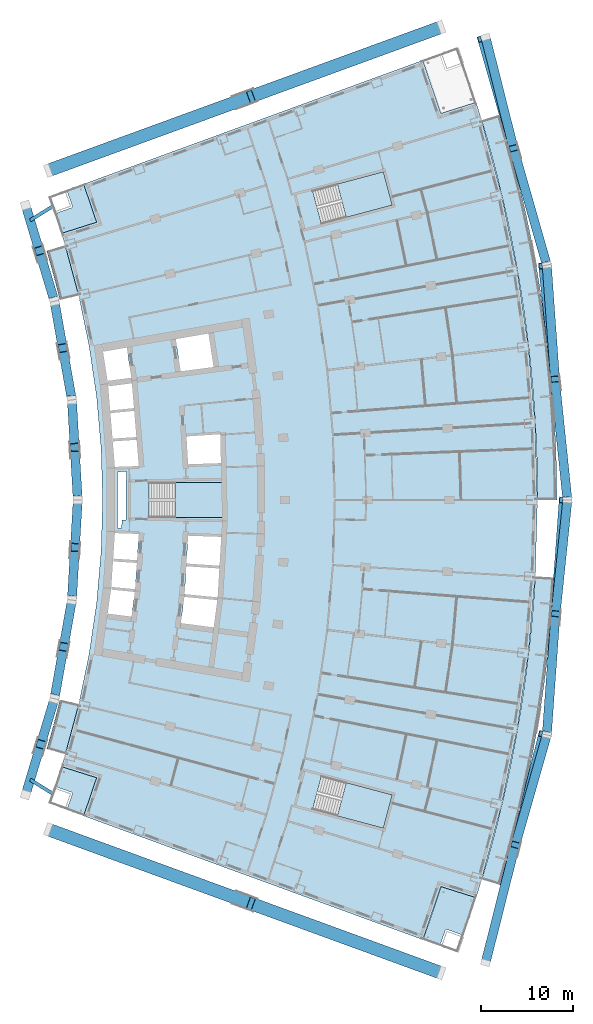
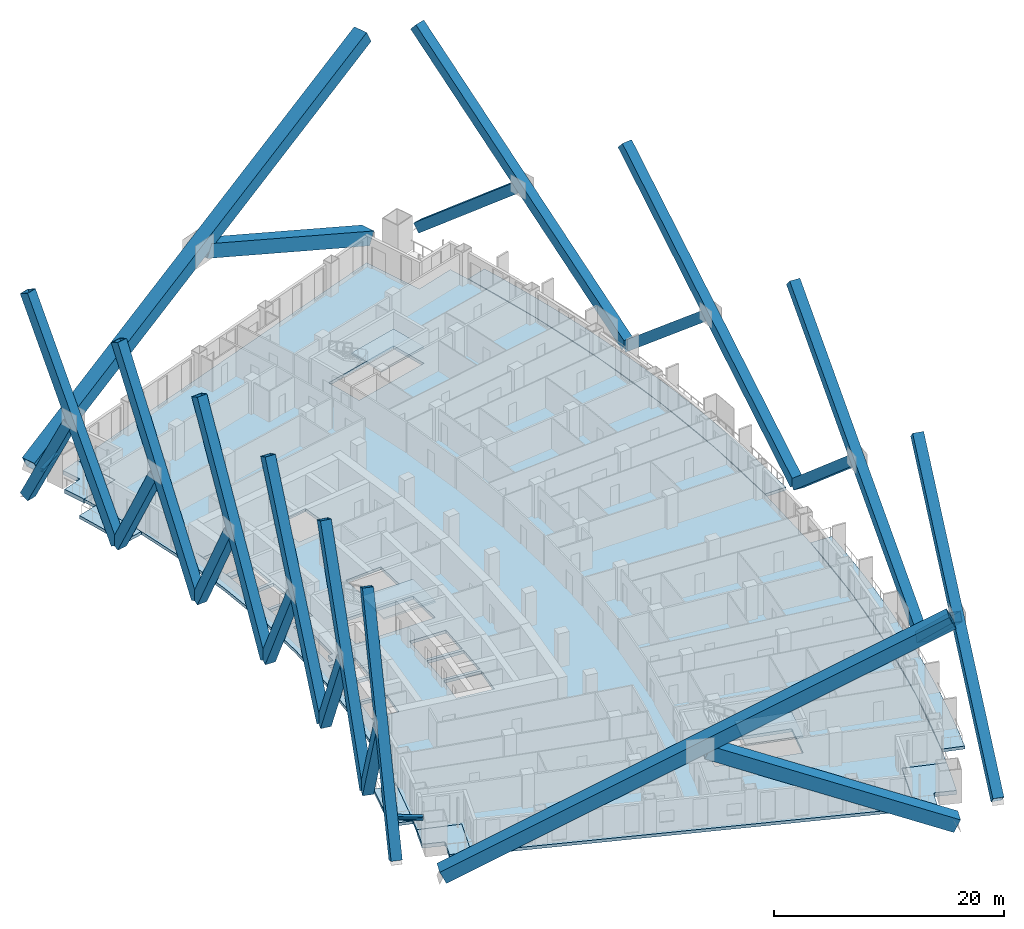
# One storey, part 9 of 23: 26 members, 11 slabs, 3 elements without a shape of their own.
"""IFC4 building model written with IfcOpenShell, lengths in metres."""

from ifc_helpers import new_model, si_unit, direction, frame, origin, origin_2d, place, context, subcontext, project, spatial, polyline, hollow_rectangle, i_section, outline, extrude, material, layer, layer_set, material_profile, profile_set, type_object, element, aggregate, save


model = new_model("IFC4")

# Units and contexts
model_context = context("Model", 3, precision=1e-05, world=origin(), true_north=direction((0.0, 1.0)))
body_context = subcontext(model_context, "Body", "Model", "MODEL_VIEW")
ifc_project = project(units=[si_unit("LENGTHUNIT", "METRE"), si_unit("AREAUNIT", "SQUARE_METRE"), si_unit("VOLUMEUNIT", "CUBIC_METRE"), si_unit("PLANEANGLEUNIT", "RADIAN"), si_unit("MASSUNIT", "GRAM", prefix="KILO")], contexts=[model_context])

# Site, building, storey
site_placement = place(None, origin())
site = spatial("IfcSite", under=ifc_project, at=site_placement, CompositionType="ELEMENT")
building_placement = place(site_placement, origin())
building = spatial("IfcBuilding", under=site, at=building_placement, Name="Alderwake Tower", CompositionType="ELEMENT")
storey_placement = place(building_placement, frame((0.0, 0.0, 53.60009765625)))
storey = spatial("IfcBuildingStorey", under=building, at=storey_placement, Name="L12", CompositionType="ELEMENT", Elevation=53.60009765625)

# Members
ifc_material_1 = material(Name="Steel ASTM A992 Grade 50", Category="steel")
ifc_material_profile_1 = material_profile(ifc_material_1, i_section(OverallWidth=0.3740234375, OverallDepth=0.372314453125, WebThickness=0.016357421875, FlangeThickness=0.026123046875, at=origin_2d()), Name="W14X132")
ifc_profile_set_1 = profile_set([ifc_material_profile_1], Name="Steel ASTM A992 Grade 50")
member_type_1 = type_object("IfcMemberType", Name="Brace node stub W14X132", PredefinedType="MEMBER", material=ifc_profile_set_1)
for number, where, z_axis, x_axis, name in (
    (1, (10.514892578125, 29.16943359375, 3.393798828125), (-0.849932366855, 0.526891802719, 0.0), (-0.526891802719, -0.849932366855, 0.0), "Brace node stub BS.RR01-C0.572"),
    (2, (10.514892578125, 92.83056640625, 3.393798828125), (-0.849932366855, -0.526891802719, 0.0), (0.526891802719, -0.849932366855, 0.0), "Brace node stub BS.RR13-C0.572"),
):
    element("IfcMember", number, at=place(storey_placement, frame(where, z_axis=z_axis, x_axis=x_axis)), inside=storey, type_object=member_type_1, Name=name, PredefinedType="MEMBER", context=body_context, shape_type="SweptSolid", body=[
        extrude(i_section(OverallWidth=0.3740234375, OverallDepth=0.372314453125, WebThickness=0.016357421875, FlangeThickness=0.026123046875, at=origin_2d()), origin(), (0.0, 0.0, 1.0), 2.800048828125),
    ])
ifc_material_2 = material(Name="Steel ASTM A572 Grade 50", Category="steel")
ifc_material_profile_2 = material_profile(ifc_material_2, hollow_rectangle(XDim=1.39990234375, YDim=1.39990234375, WallThickness=0.080078125, at=origin_2d()), Name="BOX 1400X1400X80")
ifc_profile_set_2 = profile_set([ifc_material_profile_2], Name="Steel ASTM A572 Grade 50")
member_type_2 = type_object("IfcMemberType", Name="Mega brace end Z1", PredefinedType="BRACE", material=ifc_profile_set_2)
member_1_placement = place(storey_placement, frame((10.099365234375, 25.23681640625, 0.0), z_axis=(0.846866891331, -0.309131237592, 0.432728952478), x_axis=(0.342898483742, 0.939372465983, 0.0)))
element("IfcMember", 3, at=member_1_placement, inside=storey, type_object=member_type_2, Name="Brace BRS1.2.0A", PredefinedType="BRACE", context=body_context, shape_type="SweptSolid", body=[
    extrude(hollow_rectangle(XDim=1.39990234375, YDim=1.39990234375, WallThickness=0.080078125, at=origin_2d()), origin(), (0.0, 0.0, 1.0), 49.91552734375),
])
member_2_placement = place(storey_placement, frame((52.746826171875, 9.669189453125, 0.0), z_axis=(-0.848260499572, 0.309646116142, 0.42962007358), x_axis=(-0.342904513735, -0.939370264837, 0.0)))
element("IfcMember", 4, at=member_2_placement, inside=storey, type_object=member_type_2, Name="Brace BRS1.2.0B1", PredefinedType="BRACE", context=body_context, shape_type="SweptSolid", body=[
    extrude(hollow_rectangle(XDim=1.39990234375, YDim=1.39990234375, WallThickness=0.080078125, at=origin_2d()), origin(), (0.0, 0.0, 1.0), 24.34814453125),
])
member_3_placement = place(storey_placement, frame((10.099365234375, 96.76318359375, 0.0), z_axis=(0.846866891331, 0.309131237592, 0.432728952478), x_axis=(-0.342898483742, 0.939372465983, 0.0)))
element("IfcMember", 5, at=member_3_placement, inside=storey, type_object=member_type_2, Name="Brace BRN1.2.0A", PredefinedType="BRACE", context=body_context, shape_type="SweptSolid", body=[
    extrude(hollow_rectangle(XDim=1.39990234375, YDim=1.39990234375, WallThickness=0.080078125, at=origin_2d()), origin(), (0.0, 0.0, 1.0), 49.91552734375),
])
member_4_placement = place(storey_placement, frame((52.746826171875, 112.330810546875, 0.0), z_axis=(-0.848260499572, -0.309646116142, 0.42962007358), x_axis=(0.342904513735, -0.939370264837, 0.0)))
element("IfcMember", 6, at=member_4_placement, inside=storey, type_object=member_type_2, Name="Brace BRN1.2.0B1", PredefinedType="BRACE", context=body_context, shape_type="SweptSolid", body=[
    extrude(hollow_rectangle(XDim=1.39990234375, YDim=1.39990234375, WallThickness=0.080078125, at=origin_2d()), origin(), (0.0, 0.0, 1.0), 24.34814453125),
])
ifc_material_3 = material(Name="Steel ASTM A572 Grade 50", Category="steel")
ifc_material_profile_3 = material_profile(ifc_material_3, hollow_rectangle(XDim=1.0, YDim=1.0, WallThickness=0.06005859375, at=origin_2d()), Name="BOX 1000X1000X60")
ifc_profile_set_3 = profile_set([ifc_material_profile_3], Name="Steel ASTM A572 Grade 50")
member_type_3 = type_object("IfcMemberType", Name="Mega brace face Z1", PredefinedType="BRACE", material=ifc_profile_set_3)
member_5_placement = place(storey_placement, frame((57.5693359375, 10.783203125, 0.0), z_axis=(0.186647424877, 0.74068812182, 0.645402080088), x_axis=(-0.969686316537, 0.244353120549, 0.0)))
element("IfcMember", 7, at=member_5_placement, inside=storey, type_object=member_type_3, Name="Brace BRF1.2.1A", PredefinedType="BRACE", context=body_context, shape_type="SweptSolid", body=[
    extrude(hollow_rectangle(XDim=1.0, YDim=1.0, WallThickness=0.06005859375, at=origin_2d()), origin(), (0.0, 0.0, 1.0), 33.46728515625),
])
member_6_placement = place(storey_placement, frame((64.21142578125, 35.502197265625, 0.0), z_axis=(-0.209739162085, -0.734485239643, 0.645399811461), x_axis=(0.9615632792, -0.274583430116, 0.0)))
element("IfcMember", 8, at=member_6_placement, inside=storey, type_object=member_type_3, Name="Brace BRF1.2.1B1", PredefinedType="BRACE", context=body_context, shape_type="SweptSolid", body=[
    extrude(hollow_rectangle(XDim=1.0, YDim=1.0, WallThickness=0.06005859375, at=origin_2d()), origin(), (0.0, 0.0, 1.0), 16.24853515625),
])
member_7_placement = place(storey_placement, frame((64.21142578125, 35.502197265625, 0.0), z_axis=(0.054835781481, 0.761872313696, 0.645401901681), x_axis=(-0.997419818111, 0.071789319821, 0.0)))
element("IfcMember", 9, at=member_7_placement, inside=storey, type_object=member_type_3, Name="Brace BRF1.2.4A", PredefinedType="BRACE", context=body_context, shape_type="SweptSolid", body=[
    extrude(hollow_rectangle(XDim=1.0, YDim=1.0, WallThickness=0.06005859375, at=origin_2d()), origin(), (0.0, 0.0, 1.0), 33.46728515625),
])
member_8_placement = place(storey_placement, frame((66.4482421875, 61.0, 0.0), z_axis=(-0.078657595269, -0.759785791776, 0.645397965075), x_axis=(0.994683876355, -0.102975657894, 0.0)))
element("IfcMember", 10, at=member_8_placement, inside=storey, type_object=member_type_3, Name="Brace BRF1.2.4B1", PredefinedType="BRACE", context=body_context, shape_type="SweptSolid", body=[
    extrude(hollow_rectangle(XDim=1.0, YDim=1.0, WallThickness=0.06005859375, at=origin_2d()), origin(), (0.0, 0.0, 1.0), 16.24853515625),
])
member_9_placement = place(storey_placement, frame((66.4482421875, 61.0, 0.0), z_axis=(-0.07865345178, 0.759784173922, 0.645400374636), x_axis=(-0.994684409506, -0.102970507842, 0.0)))
element("IfcMember", 11, at=member_9_placement, inside=storey, type_object=member_type_3, Name="Brace BRF1.2.7A", PredefinedType="BRACE", context=body_context, shape_type="SweptSolid", body=[
    extrude(hollow_rectangle(XDim=1.0, YDim=1.0, WallThickness=0.06005859375, at=origin_2d()), origin(), (0.0, 0.0, 1.0), 33.46728515625),
])
member_10_placement = place(storey_placement, frame((64.21142578125, 86.497802734375, 0.0), z_axis=(0.054842485193, -0.761874809364, 0.645398386018), x_axis=(0.997419206497, 0.0717978169, 0.0)))
element("IfcMember", 12, at=member_10_placement, inside=storey, type_object=member_type_3, Name="Brace BRF1.2.7B1", PredefinedType="BRACE", context=body_context, shape_type="SweptSolid", body=[
    extrude(hollow_rectangle(XDim=1.0, YDim=1.0, WallThickness=0.06005859375, at=origin_2d()), origin(), (0.0, 0.0, 1.0), 16.24853515625),
])
member_11_placement = place(storey_placement, frame((64.21142578125, 86.497802734375, 0.0), z_axis=(-0.209735297365, 0.734485701896, 0.64540054133), x_axis=(-0.961564660688, -0.274578592238, 0.0)))
element("IfcMember", 13, at=member_11_placement, inside=storey, type_object=member_type_3, Name="Brace BRF1.2.10A", PredefinedType="BRACE", context=body_context, shape_type="SweptSolid", body=[
    extrude(hollow_rectangle(XDim=1.0, YDim=1.0, WallThickness=0.06005859375, at=origin_2d()), origin(), (0.0, 0.0, 1.0), 33.46728515625),
])
member_12_placement = place(storey_placement, frame((57.5693359375, 111.216796875, 0.0), z_axis=(0.186659660872, -0.740688613243, 0.645397977387), x_axis=(0.969682559219, 0.244368030533, 0.0)))
element("IfcMember", 14, at=member_12_placement, inside=storey, type_object=member_type_3, Name="Brace BRF1.2.10B1", PredefinedType="BRACE", context=body_context, shape_type="SweptSolid", body=[
    extrude(hollow_rectangle(XDim=1.0, YDim=1.0, WallThickness=0.06005859375, at=origin_2d()), origin(), (0.0, 0.0, 1.0), 16.24853515625),
])
member_13_placement = place(storey_placement, frame((7.6435546875, 29.007568359375, 0.0), z_axis=(0.129344712275, 0.430826007217, 0.893117515735), x_axis=(-0.957766969321, 0.287545531138, 0.0)))
element("IfcMember", 15, at=member_13_placement, inside=storey, type_object=member_type_3, Name="Brace BRR1.2.1A", PredefinedType="BRACE", context=body_context, shape_type="SweptSolid", body=[
    extrude(hollow_rectangle(XDim=1.0, YDim=1.0, WallThickness=0.06005859375, at=origin_2d()), origin(), (0.0, 0.0, 1.0), 24.184814453125),
])
member_14_placement = place(storey_placement, frame((10.771728515625, 39.427001953125, 0.0), z_axis=(-0.129358137216, -0.430824763775, 0.893116171198), x_axis=(0.957758521063, -0.2875736694, 0.0)))
element("IfcMember", 16, at=member_14_placement, inside=storey, type_object=member_type_3, Name="Brace BRR1.2.1B1", PredefinedType="BRACE", context=body_context, shape_type="SweptSolid", body=[
    extrude(hollow_rectangle(XDim=1.0, YDim=1.0, WallThickness=0.06005859375, at=origin_2d()), origin(), (0.0, 0.0, 1.0), 11.46728515625),
])
member_15_placement = place(storey_placement, frame((10.771728515625, 39.427001953125, 0.0), z_axis=(0.078315608033, 0.442950575519, 0.893118946829), x_axis=(-0.984727251906, 0.174104104931, 0.0)))
element("IfcMember", 17, at=member_15_placement, inside=storey, type_object=member_type_3, Name="Brace BRR1.2.3A", PredefinedType="BRACE", context=body_context, shape_type="SweptSolid", body=[
    extrude(hollow_rectangle(XDim=1.0, YDim=1.0, WallThickness=0.06005859375, at=origin_2d()), origin(), (0.0, 0.0, 1.0), 24.184814453125),
])
member_16_placement = place(storey_placement, frame((12.665771484375, 50.1396484375, 0.0), z_axis=(-0.078326508612, -0.442941835195, 0.893122325711), x_axis=(0.984722507824, -0.174130935174, 0.0)))
element("IfcMember", 18, at=member_16_placement, inside=storey, type_object=member_type_3, Name="Brace BRR1.2.3B1", PredefinedType="BRACE", context=body_context, shape_type="SweptSolid", body=[
    extrude(hollow_rectangle(XDim=1.0, YDim=1.0, WallThickness=0.06005859375, at=origin_2d()), origin(), (0.0, 0.0, 1.0), 11.46728515625),
])
member_17_placement = place(storey_placement, frame((12.665771484375, 50.1396484375, 0.0), z_axis=(0.026226310235, 0.449057422827, 0.893117915874), x_axis=(-0.998298894059, 0.058303671585, 0.0)))
element("IfcMember", 19, at=member_17_placement, inside=storey, type_object=member_type_3, Name="Brace BRR1.2.5A", PredefinedType="BRACE", context=body_context, shape_type="SweptSolid", body=[
    extrude(hollow_rectangle(XDim=1.0, YDim=1.0, WallThickness=0.06005859375, at=origin_2d()), origin(), (0.0, 0.0, 1.0), 24.184814453125),
])
member_18_placement = place(storey_placement, frame((13.300048828125, 61.0, 0.0), z_axis=(-0.026229437528, -0.449051376903, 0.893120863886), x_axis=(0.99829844368, -0.058311382639, 0.0)))
element("IfcMember", 20, at=member_18_placement, inside=storey, type_object=member_type_3, Name="Brace BRR1.2.5B1", PredefinedType="BRACE", context=body_context, shape_type="SweptSolid", body=[
    extrude(hollow_rectangle(XDim=1.0, YDim=1.0, WallThickness=0.06005859375, at=origin_2d()), origin(), (0.0, 0.0, 1.0), 11.46728515625),
])
member_19_placement = place(storey_placement, frame((13.300048828125, 61.0, 0.0), z_axis=(-0.026226310235, 0.449057422827, 0.893117915874), x_axis=(-0.998298894059, -0.058303671585, 0.0)))
element("IfcMember", 21, at=member_19_placement, inside=storey, type_object=member_type_3, Name="Brace BRR1.2.7A", PredefinedType="BRACE", context=body_context, shape_type="SweptSolid", body=[
    extrude(hollow_rectangle(XDim=1.0, YDim=1.0, WallThickness=0.06005859375, at=origin_2d()), origin(), (0.0, 0.0, 1.0), 24.184814453125),
])
member_20_placement = place(storey_placement, frame((12.665771484375, 71.8603515625, 0.0), z_axis=(0.026229186763, -0.449068373694, 0.893112325248), x_axis=(0.998298604604, 0.058308627548, 0.0)))
element("IfcMember", 22, at=member_20_placement, inside=storey, type_object=member_type_3, Name="Brace BRR1.2.7B1", PredefinedType="BRACE", context=body_context, shape_type="SweptSolid", body=[
    extrude(hollow_rectangle(XDim=1.0, YDim=1.0, WallThickness=0.06005859375, at=origin_2d()), origin(), (0.0, 0.0, 1.0), 11.467529296875),
])
member_21_placement = place(storey_placement, frame((12.665771484375, 71.8603515625, 0.0), z_axis=(-0.078315608033, 0.442950575519, 0.893118946829), x_axis=(-0.984727251906, -0.174104104931, 0.0)))
element("IfcMember", 23, at=member_21_placement, inside=storey, type_object=member_type_3, Name="Brace BRR1.2.9A", PredefinedType="BRACE", context=body_context, shape_type="SweptSolid", body=[
    extrude(hollow_rectangle(XDim=1.0, YDim=1.0, WallThickness=0.06005859375, at=origin_2d()), origin(), (0.0, 0.0, 1.0), 24.184814453125),
])
member_22_placement = place(storey_placement, frame((10.771728515625, 82.572998046875, 0.0), z_axis=(0.078325769962, -0.442958948039, 0.893113903213), x_axis=(0.984723942876, 0.17412281966, 0.0)))
element("IfcMember", 24, at=member_22_placement, inside=storey, type_object=member_type_3, Name="Brace BRR1.2.9B1", PredefinedType="BRACE", context=body_context, shape_type="SweptSolid", body=[
    extrude(hollow_rectangle(XDim=1.0, YDim=1.0, WallThickness=0.06005859375, at=origin_2d()), origin(), (0.0, 0.0, 1.0), 11.46728515625),
])
member_23_placement = place(storey_placement, frame((10.771728515625, 82.572998046875, 0.0), z_axis=(-0.129344712275, 0.430826007217, 0.893117515735), x_axis=(-0.957766969321, -0.287545531138, 0.0)))
element("IfcMember", 25, at=member_23_placement, inside=storey, type_object=member_type_3, Name="Brace BRR1.2.11A", PredefinedType="BRACE", context=body_context, shape_type="SweptSolid", body=[
    extrude(hollow_rectangle(XDim=1.0, YDim=1.0, WallThickness=0.06005859375, at=origin_2d()), origin(), (0.0, 0.0, 1.0), 24.184814453125),
])
member_24_placement = place(storey_placement, frame((7.6435546875, 92.992431640625, 0.0), z_axis=(0.12933720337, -0.430825950189, 0.89311863068), x_axis=(0.95777155602, 0.287530253154, 0.0)))
element("IfcMember", 26, at=member_24_placement, inside=storey, type_object=member_type_3, Name="Brace BRR1.2.11B1", PredefinedType="BRACE", context=body_context, shape_type="SweptSolid", body=[
    extrude(hollow_rectangle(XDim=1.0, YDim=1.0, WallThickness=0.06005859375, at=origin_2d()), origin(), (0.0, 0.0, 1.0), 11.46728515625),
])

# Slabs
ifc_material_4 = material(Name="Concrete C50/60", Category="concrete")
ifc_layer_1 = layer(ifc_material_4, 0.320068359375)
ifc_layer_set_1 = layer_set([ifc_layer_1], Name="Balcony slab 320")
slab_type_1 = type_object("IfcSlabType", Name="Balcony slab 320", PredefinedType="FLOOR", material=ifc_layer_set_1)
slab_1_placement = place(storey_placement, frame((0.0, 0.0, -0.320068359375)))
element("IfcSlab", 27, at=slab_1_placement, inside=storey, type_object=slab_type_1, Name="Balcony BF02", PredefinedType="FLOOR", context=body_context, shape_type="SweptSolid", body=[
    extrude(outline(polyline([(59.7578125, 21.2529296875), (60.322509765625, 23.29541015625), (60.857666015625, 25.345703125), (61.362548828125, 27.403564453125), (61.83740234375, 29.468505859375), (62.2822265625, 31.540283203125), (62.696533203125, 33.618408203125), (63.080810546875, 35.7021484375), (63.4345703125, 37.791259765625), (63.7578125, 39.885498046875), (64.05029296875, 41.984130859375), (64.312255859375, 44.0869140625), (64.543701171875, 46.193115234375), (64.744140625, 48.302490234375), (64.913818359375, 50.41455078125), (65.052978515625, 52.529052734375), (62.956298828125, 52.6513671875), (62.819580078125, 50.567626953125), (62.652099609375, 48.486083984375), (62.45458984375, 46.406982421875), (62.2265625, 44.331298828125), (61.96826171875, 42.2587890625), (61.679931640625, 40.190673828125), (61.361328125, 38.126708984375), (61.0126953125, 36.067626953125), (60.63427734375, 34.013916015625), (60.225830078125, 31.966064453125), (59.78759765625, 29.92431640625), (59.3193359375, 27.888916015625), (58.82177734375, 25.86083984375), (58.294677734375, 23.840087890625), (57.738037109375, 21.827392578125), (57.152099609375, 19.822998046875), (59.163330078125, 19.218994140625), (59.7578125, 21.2529296875)])), origin(), (0.0, 0.0, 1.0), 0.320068359375),
])
slab_2_placement = place(storey_placement, frame((0.0, 0.0, -0.320068359375)))
element("IfcSlab", 28, at=slab_2_placement, inside=storey, type_object=slab_type_1, Name="Balcony BF07", PredefinedType="FLOOR", context=body_context, shape_type="SweptSolid", body=[
    extrude(outline(polyline([(65.284423828125, 63.118896484375), (65.23828125, 65.2373046875), (65.160888671875, 67.354736328125), (65.052978515625, 69.470947265625), (64.913818359375, 71.58544921875), (64.744140625, 73.697509765625), (64.543701171875, 75.806884765625), (64.312255859375, 77.9130859375), (64.05029296875, 80.015869140625), (63.7578125, 82.114501953125), (63.4345703125, 84.208740234375), (63.080810546875, 86.2978515625), (62.696533203125, 88.381591796875), (62.2822265625, 90.459716796875), (61.83740234375, 92.531494140625), (61.362548828125, 94.596435546875), (60.857666015625, 96.654296875), (60.322509765625, 98.70458984375), (59.7578125, 100.7470703125), (59.163330078125, 102.781005859375), (57.152099609375, 102.177001953125), (57.738037109375, 100.172607421875), (58.294677734375, 98.159912109375), (58.82177734375, 96.13916015625), (59.3193359375, 94.111083984375), (59.78759765625, 92.07568359375), (60.225830078125, 90.033935546875), (60.63427734375, 87.986083984375), (61.0126953125, 85.932373046875), (61.361328125, 83.873291015625), (61.679931640625, 81.809326171875), (61.96826171875, 79.7412109375), (62.2265625, 77.668701171875), (62.45458984375, 75.593017578125), (62.652099609375, 73.513916015625), (62.819580078125, 71.432373046875), (62.956298828125, 69.3486328125), (63.06298828125, 67.262939453125), (63.13916015625, 65.176025390625), (63.184814453125, 63.08837890625), (63.199951171875, 61.0), (65.300048828125, 61.0), (65.284423828125, 63.118896484375)])), origin(), (0.0, 0.0, 1.0), 0.320068359375),
])
slab_3_placement = place(storey_placement, frame((0.0, 0.0, -0.320068359375)))
element("IfcSlab", 29, at=slab_3_placement, inside=storey, type_object=slab_type_1, Name="Balcony BR02", PredefinedType="FLOOR", context=body_context, shape_type="SweptSolid", body=[
    extrude(outline(polyline([(9.93408203125, 33.999267578125), (11.945556640625, 33.395263671875), (13.3984375, 38.802734375), (11.35546875, 39.288330078125), (11.029052734375, 37.95849609375), (10.683349609375, 36.63330078125), (10.318359375, 35.3134765625), (9.93408203125, 33.999267578125)])), origin(), (0.0, 0.0, 1.0), 0.320068359375),
])
slab_4_placement = place(storey_placement, frame((0.0, 0.0, -0.320068359375)))
element("IfcSlab", 30, at=slab_4_placement, inside=storey, type_object=slab_type_1, Name="Balcony BR11", PredefinedType="FLOOR", context=body_context, shape_type="SweptSolid", body=[
    extrude(outline(polyline([(11.35546875, 82.711669921875), (13.3984375, 83.197265625), (11.945556640625, 88.604736328125), (9.93408203125, 88.000732421875), (10.318359375, 86.6865234375), (10.683349609375, 85.36669921875), (11.029052734375, 84.04150390625), (11.35546875, 82.711669921875)])), origin(), (0.0, 0.0, 1.0), 0.320068359375),
])
ifc_material_5 = material(Name="Concrete C50/60", Category="concrete")
ifc_layer_2 = layer(ifc_material_5, 0.320068359375)
ifc_layer_set_2 = layer_set([ifc_layer_2], Name="Concrete C50/60 post-tensioned flat plate 320")
slab_type_2 = type_object("IfcSlabType", Name="Concrete C50/60 post-tensioned flat plate 320", PredefinedType="FLOOR", material=ifc_layer_set_2)
slab_5_placement = place(storey_placement, frame((0.0, 0.0, -0.320068359375)))
element("IfcSlab", 31, at=slab_5_placement, inside=storey, type_object=slab_type_2, Name="Floor slab L12", PredefinedType="FLOOR", context=body_context, shape_type="SweptSolid", body=[
    extrude(outline(polyline([(11.533203125, 32.057373046875), (11.945556640625, 33.395263671875), (13.3984375, 38.802734375), (14.53369140625, 44.28564453125), (15.347412109375, 49.825439453125), (15.836669921875, 55.4033203125), (16.0, 61.0), (15.836669921875, 66.5966796875), (15.347412109375, 72.174560546875), (14.53369140625, 77.71435546875), (13.3984375, 83.197265625), (11.945556640625, 88.604736328125), (11.533203125, 89.942626953125), (15.34716796875, 91.1484375), (13.937255859375, 95.289794921875), (50.7607421875, 108.7314453125), (52.72314453125, 102.966796875), (56.537109375, 104.172607421875), (57.152099609375, 102.177001953125), (59.3193359375, 94.111083984375), (61.0126953125, 85.932373046875), (62.2265625, 77.668701171875), (62.956298828125, 69.3486328125), (63.199951171875, 61.0), (62.956298828125, 52.6513671875), (62.2265625, 44.331298828125), (61.0126953125, 36.067626953125), (59.3193359375, 27.888916015625), (57.152099609375, 19.822998046875), (56.537109375, 17.827392578125), (52.72314453125, 19.033203125), (50.7607421875, 13.2685546875), (13.937255859375, 26.710205078125), (15.34716796875, 30.8515625), (11.533203125, 32.057373046875)]), holes=[polyline([(16.943359375, 51.26953125), (16.9580078125, 51.4189453125), (16.972900390625, 51.568115234375), (19.525146484375, 51.31591796875), (19.71630859375, 54.164794921875), (17.153564453125, 54.33642578125), (17.16357421875, 54.486083984375), (17.173583984375, 54.6357421875), (19.736083984375, 54.464111328125), (19.92724609375, 57.312744140625), (17.364013671875, 57.403564453125), (17.369140625, 57.553466796875), (17.33935546875, 57.554443359375), (17.1337890625, 54.48828125), (16.927978515625, 51.421875), (16.92822265625, 51.421875), (16.50927734375, 48.377197265625), (16.5390625, 48.373291015625), (16.577880859375, 48.6708984375), (19.138671875, 48.3359375), (19.495361328125, 51.017333984375), (16.943359375, 51.26953125)]), polyline([(29.0, 62.875), (21.050048828125, 62.875), (21.050048828125, 59.125), (29.0, 59.125), (29.0, 62.875)]), polyline([(19.688720703125, 67.53271484375), (17.12548828125, 67.361083984375), (17.115478515625, 67.510498046875), (17.10546875, 67.660400390625), (19.6640625, 67.831787109375), (19.42822265625, 70.674560546875), (16.87646484375, 70.42236328125), (16.86181640625, 70.571533203125), (16.846923828125, 70.720947265625), (19.403564453125, 70.973388671875), (19.179931640625, 73.66943359375), (16.646484375, 73.338134765625), (16.607666015625, 73.635498046875), (16.56884765625, 73.93310546875), (19.111083984375, 74.265625), (18.6240234375, 77.531982421875), (18.919921875, 77.575927734375), (18.916748046875, 77.593994140625), (16.082275390625, 77.10546875), (15.9345703125, 77.9619140625), (15.634765625, 77.908935546875), (15.63525390625, 77.9052734375), (15.9140625, 77.9482421875), (16.57763671875, 73.631591796875), (16.578369140625, 73.626220703125), (16.831787109375, 70.568603515625), (17.085693359375, 67.508544921875), (17.33935546875, 64.4482421875), (17.33935546875, 64.445556640625), (17.369384765625, 64.446533203125), (17.364013671875, 64.596435546875), (19.9248046875, 64.687255859375), (19.688720703125, 67.53271484375)]), polyline([(47.436279296875, 28.996826171875), (39.754150390625, 31.043212890625), (38.7890625, 27.41943359375), (46.47119140625, 25.373291015625), (47.436279296875, 28.996826171875)]), polyline([(28.05419921875, 47.169921875), (28.4482421875, 50.1328125), (24.87451171875, 50.48583984375), (24.878662109375, 50.52783203125), (24.875, 50.5283203125), (24.48974609375, 47.635986328125), (28.05419921875, 47.169921875)]), polyline([(25.080810546875, 53.804931640625), (24.89501953125, 50.731201171875), (24.898681640625, 50.730712890625), (24.904052734375, 50.784423828125), (28.484375, 50.4306640625), (28.669921875, 53.564453125), (25.080810546875, 53.804931640625)]), polyline([(28.873291015625, 56.99609375), (25.281494140625, 57.123291015625), (25.09912109375, 54.1044921875), (28.687744140625, 53.864013671875), (28.873291015625, 56.99609375)]), polyline([(28.769287109375, 68.08935546875), (28.765869140625, 68.141357421875), (25.101318359375, 67.895751953125), (25.2822265625, 64.876708984375), (28.83740234375, 65.002685546875), (28.769287109375, 68.08935546875)]), polyline([(27.490966796875, 79.072021484375), (23.932373046875, 78.45849609375), (23.93310546875, 78.454833984375), (23.9443359375, 78.45654296875), (24.4697265625, 74.972412109375), (24.36474609375, 74.95654296875), (24.365478515625, 74.952880859375), (28.0400390625, 75.433349609375), (27.490966796875, 79.072021484375)]), polyline([(46.47119140625, 96.626708984375), (38.7890625, 94.58056640625), (39.754150390625, 90.956787109375), (47.436279296875, 93.003173828125), (46.47119140625, 96.626708984375)]), polyline([(17.58935546875, 64.05419921875), (17.58935546875, 57.94580078125), (18.065673828125, 57.928955078125), (18.090576171875, 58.84326171875), (18.544189453125, 58.8310546875), (18.529296875, 58.8681640625), (18.5234375, 58.89208984375), (18.5185546875, 58.94091796875), (18.5185546875, 63.060302734375), (18.5234375, 63.109130859375), (18.53759765625, 63.156005859375), (18.560791015625, 63.19921875), (18.588623046875, 63.233642578125), (18.565185546875, 64.088623046875), (17.58935546875, 64.05419921875)])]), origin(), (0.0, 0.0, 1.0), 0.320068359375),
])

# Stair, slab
ifc_material_6 = material(Name="Concrete C40/50", Category="concrete")
stair_type = type_object("IfcStairType", Name="Core exit stair", PredefinedType="HALF_TURN_STAIR", material=ifc_material_6)
stair_1_placement = place(storey_placement, origin())
stair_1 = element("IfcStair", 32, at=stair_1_placement, inside=storey, type_object=stair_type, Name="L12 Exit Stair B", PredefinedType="HALF_TURN_STAIR")
ifc_material_7 = material(Name="Concrete C40/50", Category="concrete")
ifc_layer_3 = layer(ifc_material_7, 0.199951171875)
ifc_layer_set_3 = layer_set([ifc_layer_3], Name="Core stair landing 200")
slab_type_3 = type_object("IfcSlabType", Name="Core stair landing 200", PredefinedType="LANDING", material=ifc_layer_set_3)
slab_6_placement = place(storey_placement, frame((0.0, 0.0, 1.599853515625)))
slab_6 = element("IfcSlab", 33, at=slab_6_placement, type_object=slab_type_3, Name="ST-B landing 1", PredefinedType="LANDING", context=body_context, shape_type="SweptSolid", body=[
    extrude(outline(polyline([(23.830078125, 59.074951171875), (29.0, 59.074951171875), (29.0, 62.925048828125), (23.830078125, 62.925048828125), (23.830078125, 59.074951171875)])), origin(), (0.0, 0.0, 1.0), 0.199951171875),
])
aggregate(stair_1, [slab_6])

stair_2_placement = place(storey_placement, origin())
stair_2 = element("IfcStair", 34, at=stair_2_placement, inside=storey, type_object=stair_type, Name="L12 Exit Stair A", PredefinedType="HALF_TURN_STAIR")
slab_7_placement = place(storey_placement, frame((0.0, 0.0, 1.599853515625)))
slab_7 = element("IfcSlab", 35, at=slab_7_placement, type_object=slab_type_3, Name="ST-A landing 1", PredefinedType="LANDING", context=body_context, shape_type="SweptSolid", body=[
    extrude(outline(polyline([(42.440673828125, 91.67236328125), (47.436279296875, 93.003173828125), (46.47119140625, 96.626708984375), (41.475341796875, 95.296142578125), (42.440673828125, 91.67236328125)])), origin(), (0.0, 0.0, 1.0), 0.199951171875),
])
aggregate(stair_2, [slab_7])

stair_3_placement = place(storey_placement, origin())
stair_3 = element("IfcStair", 36, at=stair_3_placement, inside=storey, type_object=stair_type, Name="L12 Exit Stair C", PredefinedType="HALF_TURN_STAIR")
slab_8_placement = place(storey_placement, frame((0.0, 0.0, 1.599853515625)))
slab_8 = element("IfcSlab", 37, at=slab_8_placement, type_object=slab_type_3, Name="ST-C landing 1", PredefinedType="LANDING", context=body_context, shape_type="SweptSolid", body=[
    extrude(outline(polyline([(41.475341796875, 26.703857421875), (46.47119140625, 25.373291015625), (47.436279296875, 28.996826171875), (42.4404296875, 30.32763671875), (41.475341796875, 26.703857421875)])), origin(), (0.0, 0.0, 1.0), 0.199951171875),
])
aggregate(stair_3, [slab_8])

# Slabs
ifc_material_8 = material(Name="Concrete C50/60", Category="concrete")
ifc_layer_4 = layer(ifc_material_8, 0.419921875)
ifc_layer_set_4 = layer_set([ifc_layer_4], Name="Terrace slab 420")
slab_type_4 = type_object("IfcSlabType", Name="Terrace slab 420", PredefinedType="FLOOR", material=ifc_layer_set_4)
slab_9_placement = place(storey_placement, frame((0.0, 0.0, -0.420166015625)))
element("IfcSlab", 38, at=slab_9_placement, inside=storey, type_object=slab_type_4, Name="Corner terrace FS", PredefinedType="FLOOR", context=body_context, shape_type="SweptSolid", body=[
    extrude(outline(polyline([(55.219970703125, 13.864013671875), (55.1748046875, 13.7373046875), (53.390380859375, 14.3759765625), (53.376220703125, 14.380126953125), (53.36181640625, 14.383056640625), (53.34716796875, 14.384521484375), (53.33251953125, 14.384521484375), (53.317626953125, 14.383056640625), (53.30322265625, 14.380126953125), (53.289306640625, 14.3759765625), (53.275634765625, 14.3701171875), (53.2626953125, 14.36328125), (53.25048828125, 14.35498046875), (53.239013671875, 14.345703125), (53.228515625, 14.33544921875), (53.21923828125, 14.323974609375), (53.211181640625, 14.311767578125), (53.2041015625, 14.298828125), (53.198486328125, 14.28515625), (52.59521484375, 12.59912109375), (50.7607421875, 13.2685546875), (51.44287109375, 15.1806640625), (52.096923828125, 17.102294921875), (52.72314453125, 19.033203125), (56.537109375, 17.827392578125), (55.892822265625, 15.8408203125), (55.219970703125, 13.864013671875)])), origin(), (0.0, 0.0, 1.0), 0.420166015625),
])
slab_10_placement = place(storey_placement, frame((0.0, 0.0, -0.420166015625)))
element("IfcSlab", 39, at=slab_10_placement, inside=storey, type_object=slab_type_4, Name="Corner terrace RS", PredefinedType="FLOOR", context=body_context, shape_type="SweptSolid", body=[
    extrude(outline(polyline([(13.937255859375, 26.710205078125), (12.10888671875, 27.377685546875), (12.114013671875, 27.39013671875), (12.71533203125, 29.086669921875), (12.7197265625, 29.100830078125), (12.722412109375, 29.115234375), (12.723876953125, 29.1298828125), (12.723876953125, 29.14453125), (12.722412109375, 29.1591796875), (12.719482421875, 29.173583984375), (12.715087890625, 29.187744140625), (12.70947265625, 29.201416015625), (12.702392578125, 29.21435546875), (12.6943359375, 29.2265625), (12.684814453125, 29.23779296875), (12.674560546875, 29.248291015625), (12.6630859375, 29.257568359375), (12.65087890625, 29.265625), (12.6376953125, 29.272705078125), (12.624267578125, 29.2783203125), (10.82568359375, 29.915771484375), (11.101318359375, 30.7255859375), (11.533203125, 32.057373046875), (15.34716796875, 30.8515625), (13.937255859375, 26.710205078125)])), origin(), (0.0, 0.0, 1.0), 0.420166015625),
])
slab_11_placement = place(storey_placement, frame((0.0, 0.0, -0.420166015625)))
element("IfcSlab", 40, at=slab_11_placement, inside=storey, type_object=slab_type_4, Name="Corner terrace RN", PredefinedType="FLOOR", context=body_context, shape_type="SweptSolid", body=[
    extrude(outline(polyline([(10.82568359375, 92.084228515625), (12.624267578125, 92.7216796875), (12.6376953125, 92.727294921875), (12.65087890625, 92.734375), (12.6630859375, 92.742431640625), (12.674560546875, 92.751708984375), (12.684814453125, 92.76220703125), (12.6943359375, 92.7734375), (12.702392578125, 92.78564453125), (12.70947265625, 92.798583984375), (12.715087890625, 92.812255859375), (12.719482421875, 92.826416015625), (12.722412109375, 92.8408203125), (12.723876953125, 92.85546875), (12.723876953125, 92.8701171875), (12.722412109375, 92.884765625), (12.7197265625, 92.899169921875), (12.71533203125, 92.913330078125), (12.114013671875, 94.60986328125), (12.10888671875, 94.622314453125), (13.937255859375, 95.289794921875), (15.34716796875, 91.1484375), (11.533203125, 89.942626953125), (11.101318359375, 91.2744140625), (10.82568359375, 92.084228515625)])), origin(), (0.0, 0.0, 1.0), 0.420166015625),
])

save(model, "model.ifc")
